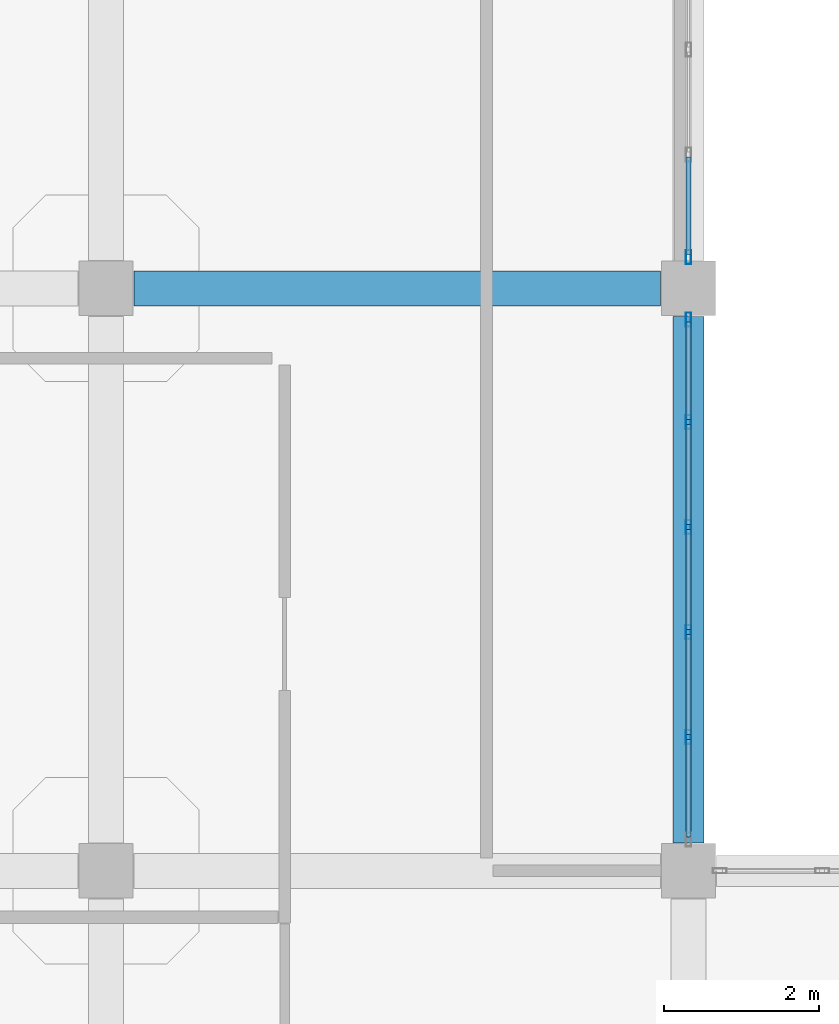
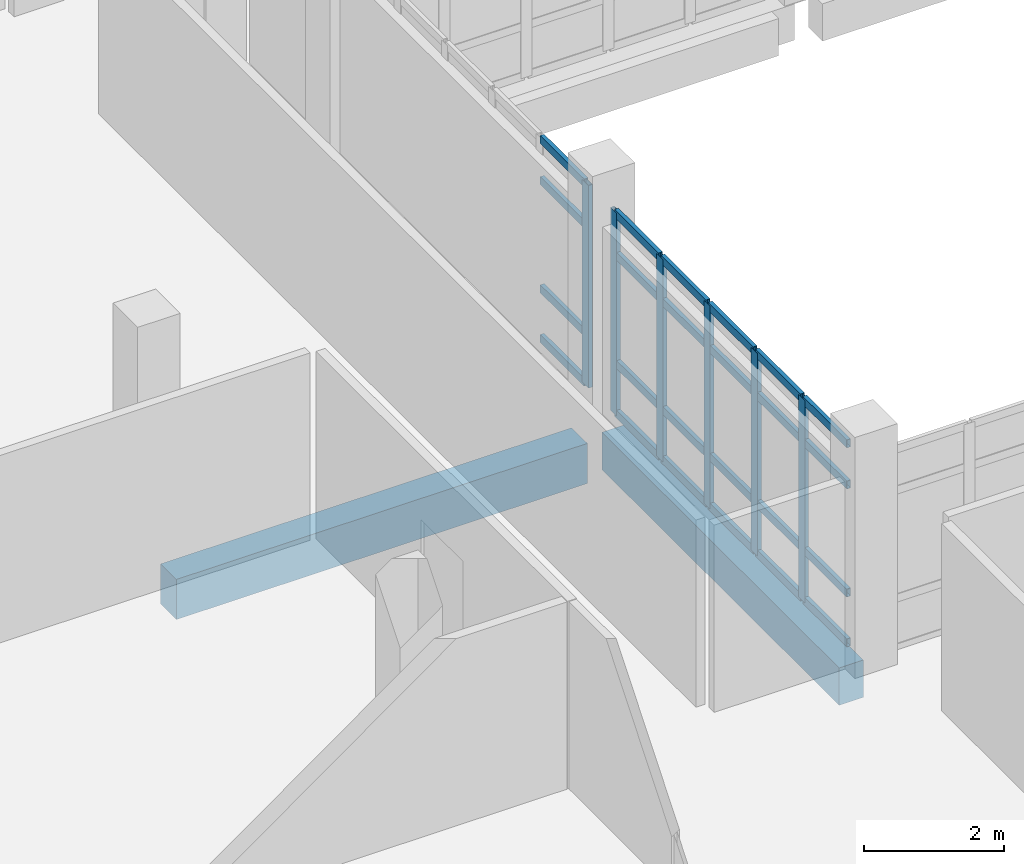
# One storey, part 23 of 164: 30 members, 2 beams, 2 elements without a shape of their own.
"""IFC4 building model written with IfcOpenShell, lengths in metres."""

from ifc_helpers import new_model, si_unit, direction, frame, origin, origin_2d, place, context, subcontext, project, spatial, rectangle, hollow_rectangle, extrude, material, layer, layer_set, material_profile, profile_set, type_object, element, aggregate, save


model = new_model("IFC4")

# Units and contexts
model_context = context("Model", 3, precision=1e-05, world=origin(), true_north=direction((0.0, 1.0)))
body_context = subcontext(model_context, "Body", "Model", "MODEL_VIEW")
ifc_project = project(units=[si_unit("LENGTHUNIT", "METRE"), si_unit("AREAUNIT", "SQUARE_METRE"), si_unit("VOLUMEUNIT", "CUBIC_METRE"), si_unit("PLANEANGLEUNIT", "RADIAN"), si_unit("MASSUNIT", "GRAM", prefix="KILO")], contexts=[model_context])

# Site, building, storey
site_placement = place(None, origin())
site = spatial("IfcSite", under=ifc_project, at=site_placement, CompositionType="ELEMENT")
building_placement = place(site_placement, origin())
building = spatial("IfcBuilding", under=site, at=building_placement, Name="Mawjan Specialist Oncology Clinic", CompositionType="ELEMENT")
storey_placement = place(building_placement, frame((0.0, 0.0, 5.0)))
storey = spatial("IfcBuildingStorey", under=building, at=storey_placement, Name="L01", CompositionType="ELEMENT", Elevation=5.0)

# Beam
ifc_material_1 = material(Name="Concrete C40/50", Category="concrete")
ifc_material_profile_1 = material_profile(ifc_material_1, rectangle(XDim=0.449951171875, YDim=0.699951171875, at=origin_2d()), Name="RC BM 450x700", Category="concrete")
ifc_profile_set_1 = profile_set([ifc_material_profile_1], Name="Concrete C40/50")
beam_type_1 = type_object("IfcBeamType", Name="BM-450x700", PredefinedType="BEAM", material=ifc_profile_set_1)
beam_1_placement = place(storey_placement, frame((7.860107421875, 23.300048828125, -0.8701171875), z_axis=(1.0, 0.0, 0.0), x_axis=(0.0, 1.0, 0.0)))
element("IfcBeam", 1, at=beam_1_placement, inside=storey, type_object=beam_type_1, Name="L01 Collector Beam BM-L01-0243", PredefinedType="BEAM", context=body_context, shape_type="SweptSolid", body=[
    extrude(rectangle(XDim=0.449951171875, YDim=0.699951171875, at=origin_2d()), origin(), (0.0, 0.0, 1.0), 6.77978515625),
])

# Curtain wall, member
ifc_material_2 = material(Name="Unitised spectrally selective aluminium curtain wall", Category="aluminium")
ifc_layer = layer(ifc_material_2, 0.179931640625, Name="Unitised spectrally selective aluminium curtain wall", Category="aluminium")
ifc_layer_set = layer_set([ifc_layer], Name="Unitised spectrally selective aluminium curtain wall")
curtain_wall_type = type_object("IfcCurtainWallType", Name="CW-73", PredefinedType="NOTDEFINED", material=ifc_layer_set)
curtain_wall_1_placement = place(storey_placement, origin())
curtain_wall_1 = element("IfcCurtainWall", 2, at=curtain_wall_1_placement, inside=storey, type_object=curtain_wall_type, Name="L01 Unitised Curtain Wall CW-L01-163", PredefinedType="NOTDEFINED")
ifc_material_3 = material(Name="Thermally broken aluminium 6063-T6", Category="aluminium")
ifc_material_profile_2 = material_profile(ifc_material_3, hollow_rectangle(XDim=0.06494140625, YDim=0.179931640625, WallThickness=0.00390625, at=origin_2d()), Name="ALU MULLION 180x65x4", Category="aluminium")
ifc_profile_set_2 = profile_set([ifc_material_profile_2], Name="Thermally broken aluminium 6063-T6")
member_type_1 = type_object("IfcMemberType", Name="CW-M180", PredefinedType="MULLION", material=ifc_profile_set_2)
member_1_placement = place(storey_placement, frame((15.0, 23.702392578125, 0.0), z_axis=(0.0, 0.0, 1.0), x_axis=(1.0, 0.0, 0.0)))
member_1 = element("IfcMember", 3, at=member_1_placement, type_object=member_type_1, Name="CW-73 mullion 6", PredefinedType="MULLION", context=body_context, shape_type="SweptSolid", body=[
    extrude(hollow_rectangle(XDim=0.06494140625, YDim=0.179931640625, WallThickness=0.00390625, at=origin_2d()), origin(), (0.0, 0.0, 1.0), 3.534912109375),
])

# Curtain wall, members
curtain_wall_2_placement = place(storey_placement, origin())
curtain_wall_2 = element("IfcCurtainWall", 4, at=curtain_wall_2_placement, inside=storey, type_object=curtain_wall_type, Name="L01 Unitised Curtain Wall CW-L01-164", PredefinedType="NOTDEFINED")
member_2_placement = place(storey_placement, frame((15.0, 22.8974609375, 0.0), z_axis=(0.0, 0.0, 1.0), x_axis=(1.0, 0.0, 0.0)))
member_2 = element("IfcMember", 5, at=member_2_placement, type_object=member_type_1, Name="CW-73 mullion 1", PredefinedType="MULLION", context=body_context, shape_type="SweptSolid", body=[
    extrude(hollow_rectangle(XDim=0.06494140625, YDim=0.179931640625, WallThickness=0.00390625, at=origin_2d()), origin(), (0.0, 0.0, 1.0), 3.534912109375),
])
member_3_placement = place(storey_placement, frame((15.0, 21.577880859375, 0.0), z_axis=(0.0, 0.0, 1.0), x_axis=(1.0, 0.0, 0.0)))
member_3 = element("IfcMember", 6, at=member_3_placement, type_object=member_type_1, Name="CW-73 mullion 2", PredefinedType="MULLION", context=body_context, shape_type="SweptSolid", body=[
    extrude(hollow_rectangle(XDim=0.06494140625, YDim=0.179931640625, WallThickness=0.00390625, at=origin_2d()), origin(), (0.0, 0.0, 1.0), 3.534912109375),
])
member_4_placement = place(storey_placement, frame((15.0, 20.22607421875, 0.0), z_axis=(0.0, 0.0, 1.0), x_axis=(1.0, 0.0, 0.0)))
member_4 = element("IfcMember", 7, at=member_4_placement, type_object=member_type_1, Name="CW-73 mullion 3", PredefinedType="MULLION", context=body_context, shape_type="SweptSolid", body=[
    extrude(hollow_rectangle(XDim=0.06494140625, YDim=0.179931640625, WallThickness=0.00390625, at=origin_2d()), origin(), (0.0, 0.0, 1.0), 3.534912109375),
])
member_5_placement = place(storey_placement, frame((15.0, 18.8740234375, 0.0), z_axis=(0.0, 0.0, 1.0), x_axis=(1.0, 0.0, 0.0)))
member_5 = element("IfcMember", 8, at=member_5_placement, type_object=member_type_1, Name="CW-73 mullion 4", PredefinedType="MULLION", context=body_context, shape_type="SweptSolid", body=[
    extrude(hollow_rectangle(XDim=0.06494140625, YDim=0.179931640625, WallThickness=0.00390625, at=origin_2d()), origin(), (0.0, 0.0, 1.0), 3.534912109375),
])
member_6_placement = place(storey_placement, frame((15.0, 17.52197265625, 0.0), z_axis=(0.0, 0.0, 1.0), x_axis=(1.0, 0.0, 0.0)))
member_6 = element("IfcMember", 9, at=member_6_placement, type_object=member_type_1, Name="CW-73 mullion 5", PredefinedType="MULLION", context=body_context, shape_type="SweptSolid", body=[
    extrude(hollow_rectangle(XDim=0.06494140625, YDim=0.179931640625, WallThickness=0.00390625, at=origin_2d()), origin(), (0.0, 0.0, 1.0), 3.534912109375),
])

# Member
ifc_material_4 = material(Name="Thermally broken aluminium 6063-T6", Category="aluminium")
ifc_material_profile_3 = material_profile(ifc_material_4, hollow_rectangle(XDim=0.06494140625, YDim=0.139892578125, WallThickness=0.00390625, at=origin_2d()), Name="ALU TRANSOM 140x65x4", Category="aluminium")
ifc_profile_set_3 = profile_set([ifc_material_profile_3], Name="Thermally broken aluminium 6063-T6")
member_type_2 = type_object("IfcMemberType", Name="CW-T140", PredefinedType="USERDEFINED", material=ifc_profile_set_3)
member_7_placement = place(storey_placement, frame((15.0, 24.989501953125, 0.032470703125), z_axis=(0.0, -1.0, 0.0), x_axis=(1.0, 0.0, 0.0)))
member_7 = element("IfcMember", 10, at=member_7_placement, type_object=member_type_2, Name="CW-73 transom 5.1", ObjectType="TRANSOM", PredefinedType="USERDEFINED", context=body_context, shape_type="SweptSolid", body=[
    extrude(hollow_rectangle(XDim=0.06494140625, YDim=0.139892578125, WallThickness=0.00390625, at=origin_2d()), origin(), (0.0, 0.0, 1.0), 1.25439453125),
])

member_8_placement = place(storey_placement, frame((15.0, 24.989501953125, 0.89990234375), z_axis=(0.0, -1.0, 0.0), x_axis=(1.0, 0.0, 0.0)))
member_8 = element("IfcMember", 11, at=member_8_placement, type_object=member_type_2, Name="CW-73 transom 5.2", ObjectType="TRANSOM", PredefinedType="USERDEFINED", context=body_context, shape_type="SweptSolid", body=[
    extrude(hollow_rectangle(XDim=0.06494140625, YDim=0.139892578125, WallThickness=0.00390625, at=origin_2d()), origin(), (0.0, 0.0, 1.0), 1.25439453125),
])

member_9_placement = place(storey_placement, frame((15.0, 24.989501953125, 2.784912109375), z_axis=(0.0, -1.0, 0.0), x_axis=(1.0, 0.0, 0.0)))
member_9 = element("IfcMember", 12, at=member_9_placement, type_object=member_type_2, Name="CW-73 transom 5.3", ObjectType="TRANSOM", PredefinedType="USERDEFINED", context=body_context, shape_type="SweptSolid", body=[
    extrude(hollow_rectangle(XDim=0.06494140625, YDim=0.139892578125, WallThickness=0.00390625, at=origin_2d()), origin(), (0.0, 0.0, 1.0), 1.25439453125),
])

member_10_placement = place(storey_placement, frame((15.0, 24.989501953125, 3.50244140625), z_axis=(0.0, -1.0, 0.0), x_axis=(1.0, 0.0, 0.0)))
member_10 = element("IfcMember", 13, at=member_10_placement, type_object=member_type_2, Name="CW-73 transom 5.4", ObjectType="TRANSOM", PredefinedType="USERDEFINED", context=body_context, shape_type="SweptSolid", body=[
    extrude(hollow_rectangle(XDim=0.06494140625, YDim=0.139892578125, WallThickness=0.00390625, at=origin_2d()), origin(), (0.0, 0.0, 1.0), 1.25439453125),
])

aggregate(curtain_wall_1, [member_1, member_7, member_8, member_9, member_10])

member_11_placement = place(storey_placement, frame((15.0, 22.864990234375, 0.032470703125), z_axis=(0.0, -1.0, 0.0), x_axis=(1.0, 0.0, 0.0)))
member_11 = element("IfcMember", 14, at=member_11_placement, type_object=member_type_2, Name="CW-73 transom 1.1", ObjectType="TRANSOM", PredefinedType="USERDEFINED", context=body_context, shape_type="SweptSolid", body=[
    extrude(hollow_rectangle(XDim=0.06494140625, YDim=0.139892578125, WallThickness=0.00390625, at=origin_2d()), origin(), (0.0, 0.0, 1.0), 1.25439453125),
])

member_12_placement = place(storey_placement, frame((15.0, 22.864990234375, 0.89990234375), z_axis=(0.0, -1.0, 0.0), x_axis=(1.0, 0.0, 0.0)))
member_12 = element("IfcMember", 15, at=member_12_placement, type_object=member_type_2, Name="CW-73 transom 1.2", ObjectType="TRANSOM", PredefinedType="USERDEFINED", context=body_context, shape_type="SweptSolid", body=[
    extrude(hollow_rectangle(XDim=0.06494140625, YDim=0.139892578125, WallThickness=0.00390625, at=origin_2d()), origin(), (0.0, 0.0, 1.0), 1.25439453125),
])

member_13_placement = place(storey_placement, frame((15.0, 22.864990234375, 2.784912109375), z_axis=(0.0, -1.0, 0.0), x_axis=(1.0, 0.0, 0.0)))
member_13 = element("IfcMember", 16, at=member_13_placement, type_object=member_type_2, Name="CW-73 transom 1.3", ObjectType="TRANSOM", PredefinedType="USERDEFINED", context=body_context, shape_type="SweptSolid", body=[
    extrude(hollow_rectangle(XDim=0.06494140625, YDim=0.139892578125, WallThickness=0.00390625, at=origin_2d()), origin(), (0.0, 0.0, 1.0), 1.25439453125),
])

member_14_placement = place(storey_placement, frame((15.0, 22.864990234375, 3.50244140625), z_axis=(0.0, -1.0, 0.0), x_axis=(1.0, 0.0, 0.0)))
member_14 = element("IfcMember", 17, at=member_14_placement, type_object=member_type_2, Name="CW-73 transom 1.4", ObjectType="TRANSOM", PredefinedType="USERDEFINED", context=body_context, shape_type="SweptSolid", body=[
    extrude(hollow_rectangle(XDim=0.06494140625, YDim=0.139892578125, WallThickness=0.00390625, at=origin_2d()), origin(), (0.0, 0.0, 1.0), 1.25439453125),
])

member_15_placement = place(storey_placement, frame((15.0, 21.54541015625, 0.032470703125), z_axis=(0.0, -1.0, 0.0), x_axis=(1.0, 0.0, 0.0)))
member_15 = element("IfcMember", 18, at=member_15_placement, type_object=member_type_2, Name="CW-73 transom 2.1", ObjectType="TRANSOM", PredefinedType="USERDEFINED", context=body_context, shape_type="SweptSolid", body=[
    extrude(hollow_rectangle(XDim=0.06494140625, YDim=0.139892578125, WallThickness=0.00390625, at=origin_2d()), origin(), (0.0, 0.0, 1.0), 1.286865234375),
])

member_16_placement = place(storey_placement, frame((15.0, 21.54541015625, 0.89990234375), z_axis=(0.0, -1.0, 0.0), x_axis=(1.0, 0.0, 0.0)))
member_16 = element("IfcMember", 19, at=member_16_placement, type_object=member_type_2, Name="CW-73 transom 2.2", ObjectType="TRANSOM", PredefinedType="USERDEFINED", context=body_context, shape_type="SweptSolid", body=[
    extrude(hollow_rectangle(XDim=0.06494140625, YDim=0.139892578125, WallThickness=0.00390625, at=origin_2d()), origin(), (0.0, 0.0, 1.0), 1.286865234375),
])

member_17_placement = place(storey_placement, frame((15.0, 21.54541015625, 2.784912109375), z_axis=(0.0, -1.0, 0.0), x_axis=(1.0, 0.0, 0.0)))
member_17 = element("IfcMember", 20, at=member_17_placement, type_object=member_type_2, Name="CW-73 transom 2.3", ObjectType="TRANSOM", PredefinedType="USERDEFINED", context=body_context, shape_type="SweptSolid", body=[
    extrude(hollow_rectangle(XDim=0.06494140625, YDim=0.139892578125, WallThickness=0.00390625, at=origin_2d()), origin(), (0.0, 0.0, 1.0), 1.286865234375),
])

member_18_placement = place(storey_placement, frame((15.0, 21.54541015625, 3.50244140625), z_axis=(0.0, -1.0, 0.0), x_axis=(1.0, 0.0, 0.0)))
member_18 = element("IfcMember", 21, at=member_18_placement, type_object=member_type_2, Name="CW-73 transom 2.4", ObjectType="TRANSOM", PredefinedType="USERDEFINED", context=body_context, shape_type="SweptSolid", body=[
    extrude(hollow_rectangle(XDim=0.06494140625, YDim=0.139892578125, WallThickness=0.00390625, at=origin_2d()), origin(), (0.0, 0.0, 1.0), 1.286865234375),
])

member_19_placement = place(storey_placement, frame((15.0, 20.193603515625, 0.032470703125), z_axis=(0.0, -1.0, 0.0), x_axis=(1.0, 0.0, 0.0)))
member_19 = element("IfcMember", 22, at=member_19_placement, type_object=member_type_2, Name="CW-73 transom 3.1", ObjectType="TRANSOM", PredefinedType="USERDEFINED", context=body_context, shape_type="SweptSolid", body=[
    extrude(hollow_rectangle(XDim=0.06494140625, YDim=0.139892578125, WallThickness=0.00390625, at=origin_2d()), origin(), (0.0, 0.0, 1.0), 1.287109375),
])

member_20_placement = place(storey_placement, frame((15.0, 20.193603515625, 0.89990234375), z_axis=(0.0, -1.0, 0.0), x_axis=(1.0, 0.0, 0.0)))
member_20 = element("IfcMember", 23, at=member_20_placement, type_object=member_type_2, Name="CW-73 transom 3.2", ObjectType="TRANSOM", PredefinedType="USERDEFINED", context=body_context, shape_type="SweptSolid", body=[
    extrude(hollow_rectangle(XDim=0.06494140625, YDim=0.139892578125, WallThickness=0.00390625, at=origin_2d()), origin(), (0.0, 0.0, 1.0), 1.287109375),
])

member_21_placement = place(storey_placement, frame((15.0, 20.193603515625, 2.784912109375), z_axis=(0.0, -1.0, 0.0), x_axis=(1.0, 0.0, 0.0)))
member_21 = element("IfcMember", 24, at=member_21_placement, type_object=member_type_2, Name="CW-73 transom 3.3", ObjectType="TRANSOM", PredefinedType="USERDEFINED", context=body_context, shape_type="SweptSolid", body=[
    extrude(hollow_rectangle(XDim=0.06494140625, YDim=0.139892578125, WallThickness=0.00390625, at=origin_2d()), origin(), (0.0, 0.0, 1.0), 1.287109375),
])

member_22_placement = place(storey_placement, frame((15.0, 20.193603515625, 3.50244140625), z_axis=(0.0, -1.0, 0.0), x_axis=(1.0, 0.0, 0.0)))
member_22 = element("IfcMember", 25, at=member_22_placement, type_object=member_type_2, Name="CW-73 transom 3.4", ObjectType="TRANSOM", PredefinedType="USERDEFINED", context=body_context, shape_type="SweptSolid", body=[
    extrude(hollow_rectangle(XDim=0.06494140625, YDim=0.139892578125, WallThickness=0.00390625, at=origin_2d()), origin(), (0.0, 0.0, 1.0), 1.287109375),
])

member_23_placement = place(storey_placement, frame((15.0, 18.841552734375, 0.032470703125), z_axis=(0.0, -1.0, 0.0), x_axis=(1.0, 0.0, 0.0)))
member_23 = element("IfcMember", 26, at=member_23_placement, type_object=member_type_2, Name="CW-73 transom 4.1", ObjectType="TRANSOM", PredefinedType="USERDEFINED", context=body_context, shape_type="SweptSolid", body=[
    extrude(hollow_rectangle(XDim=0.06494140625, YDim=0.139892578125, WallThickness=0.00390625, at=origin_2d()), origin(), (0.0, 0.0, 1.0), 1.287109375),
])

member_24_placement = place(storey_placement, frame((15.0, 18.841552734375, 0.89990234375), z_axis=(0.0, -1.0, 0.0), x_axis=(1.0, 0.0, 0.0)))
member_24 = element("IfcMember", 27, at=member_24_placement, type_object=member_type_2, Name="CW-73 transom 4.2", ObjectType="TRANSOM", PredefinedType="USERDEFINED", context=body_context, shape_type="SweptSolid", body=[
    extrude(hollow_rectangle(XDim=0.06494140625, YDim=0.139892578125, WallThickness=0.00390625, at=origin_2d()), origin(), (0.0, 0.0, 1.0), 1.287109375),
])

member_25_placement = place(storey_placement, frame((15.0, 18.841552734375, 2.784912109375), z_axis=(0.0, -1.0, 0.0), x_axis=(1.0, 0.0, 0.0)))
member_25 = element("IfcMember", 28, at=member_25_placement, type_object=member_type_2, Name="CW-73 transom 4.3", ObjectType="TRANSOM", PredefinedType="USERDEFINED", context=body_context, shape_type="SweptSolid", body=[
    extrude(hollow_rectangle(XDim=0.06494140625, YDim=0.139892578125, WallThickness=0.00390625, at=origin_2d()), origin(), (0.0, 0.0, 1.0), 1.287109375),
])

member_26_placement = place(storey_placement, frame((15.0, 18.841552734375, 3.50244140625), z_axis=(0.0, -1.0, 0.0), x_axis=(1.0, 0.0, 0.0)))
member_26 = element("IfcMember", 29, at=member_26_placement, type_object=member_type_2, Name="CW-73 transom 4.4", ObjectType="TRANSOM", PredefinedType="USERDEFINED", context=body_context, shape_type="SweptSolid", body=[
    extrude(hollow_rectangle(XDim=0.06494140625, YDim=0.139892578125, WallThickness=0.00390625, at=origin_2d()), origin(), (0.0, 0.0, 1.0), 1.287109375),
])

member_27_placement = place(storey_placement, frame((15.0, 17.489501953125, 0.032470703125), z_axis=(0.0, -1.0, 0.0), x_axis=(1.0, 0.0, 0.0)))
member_27 = element("IfcMember", 30, at=member_27_placement, type_object=member_type_2, Name="CW-73 transom 5.1", ObjectType="TRANSOM", PredefinedType="USERDEFINED", context=body_context, shape_type="SweptSolid", body=[
    extrude(hollow_rectangle(XDim=0.06494140625, YDim=0.139892578125, WallThickness=0.00390625, at=origin_2d()), origin(), (0.0, 0.0, 1.0), 1.25439453125),
])

member_28_placement = place(storey_placement, frame((15.0, 17.489501953125, 0.89990234375), z_axis=(0.0, -1.0, 0.0), x_axis=(1.0, 0.0, 0.0)))
member_28 = element("IfcMember", 31, at=member_28_placement, type_object=member_type_2, Name="CW-73 transom 5.2", ObjectType="TRANSOM", PredefinedType="USERDEFINED", context=body_context, shape_type="SweptSolid", body=[
    extrude(hollow_rectangle(XDim=0.06494140625, YDim=0.139892578125, WallThickness=0.00390625, at=origin_2d()), origin(), (0.0, 0.0, 1.0), 1.25439453125),
])

member_29_placement = place(storey_placement, frame((15.0, 17.489501953125, 2.784912109375), z_axis=(0.0, -1.0, 0.0), x_axis=(1.0, 0.0, 0.0)))
member_29 = element("IfcMember", 32, at=member_29_placement, type_object=member_type_2, Name="CW-73 transom 5.3", ObjectType="TRANSOM", PredefinedType="USERDEFINED", context=body_context, shape_type="SweptSolid", body=[
    extrude(hollow_rectangle(XDim=0.06494140625, YDim=0.139892578125, WallThickness=0.00390625, at=origin_2d()), origin(), (0.0, 0.0, 1.0), 1.25439453125),
])

member_30_placement = place(storey_placement, frame((15.0, 17.489501953125, 3.50244140625), z_axis=(0.0, -1.0, 0.0), x_axis=(1.0, 0.0, 0.0)))
member_30 = element("IfcMember", 33, at=member_30_placement, type_object=member_type_2, Name="CW-73 transom 5.4", ObjectType="TRANSOM", PredefinedType="USERDEFINED", context=body_context, shape_type="SweptSolid", body=[
    extrude(hollow_rectangle(XDim=0.06494140625, YDim=0.139892578125, WallThickness=0.00390625, at=origin_2d()), origin(), (0.0, 0.0, 1.0), 1.25439453125),
])

aggregate(curtain_wall_2, [member_2, member_3, member_4, member_5, member_6, member_11, member_12, member_13, member_14, member_15, member_16, member_17, member_18, member_19, member_20, member_21, member_22, member_23, member_24, member_25, member_26, member_27, member_28, member_29, member_30])

# Beam
ifc_material_5 = material(Name="Concrete C45/55", Category="concrete")
ifc_material_profile_4 = material_profile(ifc_material_5, rectangle(XDim=0.39990234375, YDim=0.64990234375, at=origin_2d()), Name="RC BM 400x650", Category="concrete")
ifc_profile_set_4 = profile_set([ifc_material_profile_4], Name="Concrete C45/55")
beam_type_2 = type_object("IfcBeamType", Name="SP-400x650", PredefinedType="SPANDREL", material=ifc_profile_set_4)
beam_2_placement = place(storey_placement, frame((15.0, 16.159912109375, -0.625), z_axis=(0.0, 1.0, 0.0), x_axis=(-1.0, 0.0, 0.0)))
element("IfcBeam", 34, at=beam_2_placement, inside=storey, type_object=beam_type_2, Name="L01 Spandrel Beam BM-L01-0438", PredefinedType="SPANDREL", context=body_context, shape_type="SweptSolid", body=[
    extrude(rectangle(XDim=0.39990234375, YDim=0.64990234375, at=origin_2d()), origin(), (0.0, 0.0, 1.0), 6.780029296875),
])

save(model, "model.ifc")
